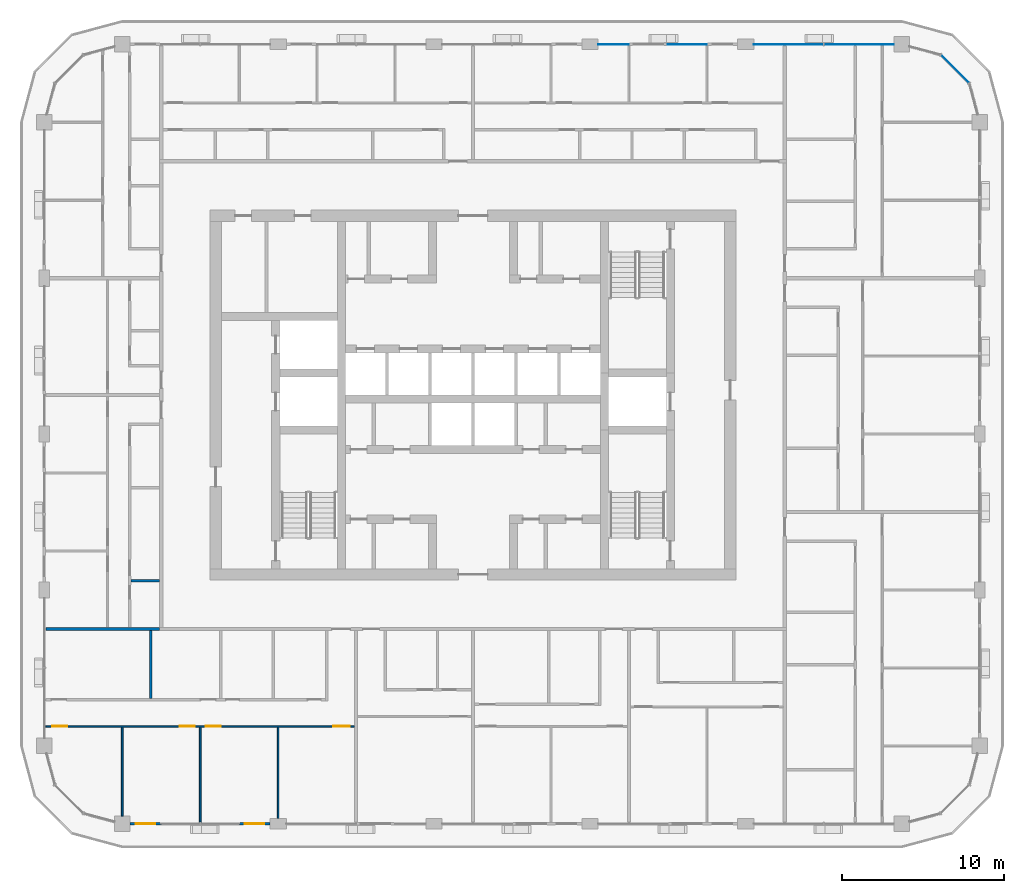
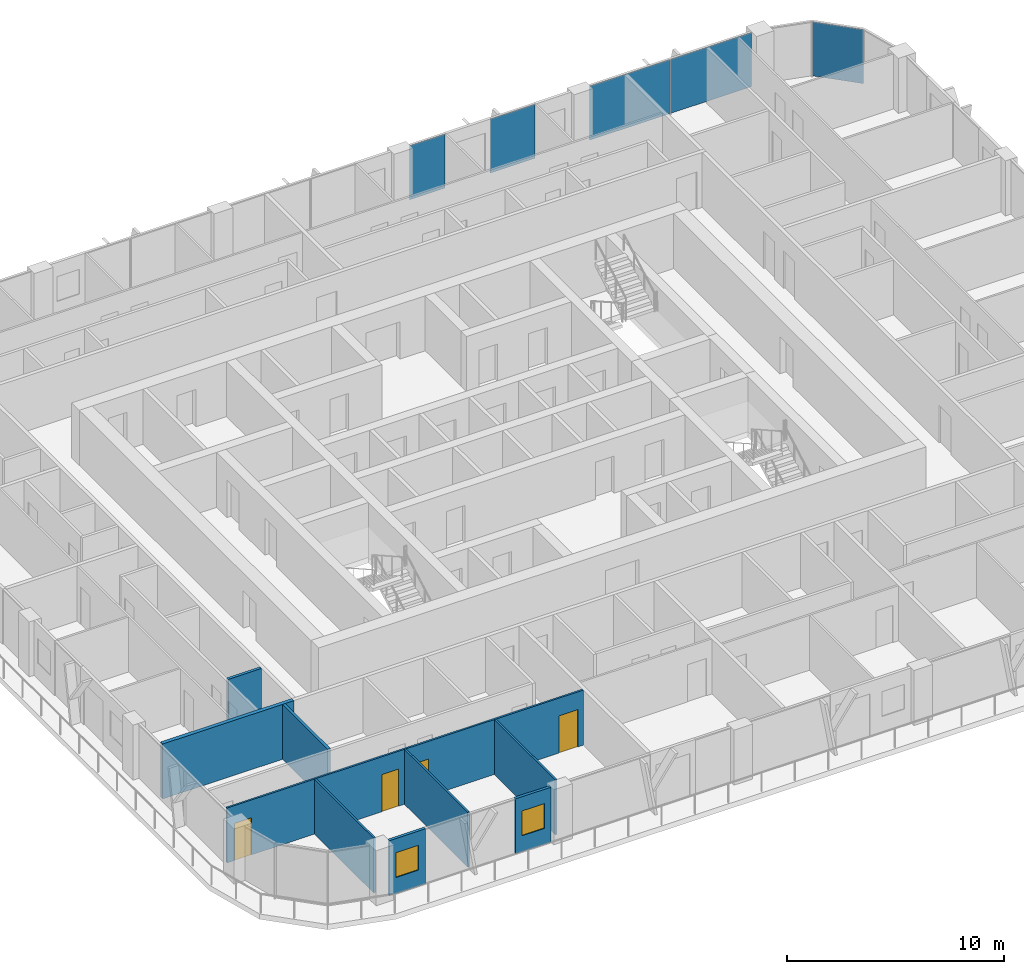
# One storey, part 8 of 22: 9 walls, 5 plates, 4 doors, 2 windows, 6 openings, 3 elements without a shape of their own.
"""IFC4 building model written with IfcOpenShell, lengths in metres."""

from ifc_helpers import new_model, si_unit, direction, frame, frame_2d, origin, origin_2d, place, context, subcontext, project, spatial, rectangle, extrude, material, layer, layer_set, type_object, element, fill, aggregate, save


model = new_model("IFC4")

# Units and contexts
model_context = context("Model", 3, precision=1e-05, world=origin(), true_north=direction((0.0, 1.0)))
body_context = subcontext(model_context, "Body", "Model", "MODEL_VIEW")
ifc_project = project(units=[si_unit("LENGTHUNIT", "METRE"), si_unit("AREAUNIT", "SQUARE_METRE"), si_unit("VOLUMEUNIT", "CUBIC_METRE"), si_unit("PLANEANGLEUNIT", "RADIAN"), si_unit("MASSUNIT", "GRAM", prefix="KILO")], contexts=[model_context])

# Site, building, storey
site_placement = place(None, origin())
site = spatial("IfcSite", under=ifc_project, at=site_placement, CompositionType="ELEMENT")
building_placement = place(site_placement, origin())
building = spatial("IfcBuilding", under=site, at=building_placement, Name="Madar Terraces", CompositionType="ELEMENT")
storey_placement = place(building_placement, frame((0.0, 0.0, 199.89990234375)))
storey = spatial("IfcBuildingStorey", under=building, at=storey_placement, Name="L52", CompositionType="ELEMENT", Elevation=199.89990234375)

# Curtain wall, plates
ifc_material_1 = material(Name="Glass, ceramic frit dark grey, with black aluminium frame", Category="aluminium")
ifc_layer_1 = layer(ifc_material_1, 0.199951171875)
ifc_layer_set_1 = layer_set([ifc_layer_1], Name="Facade curtain wall, fritted glass")
curtain_wall_type = type_object("IfcCurtainWallType", Name="Facade curtain wall, fritted glass", PredefinedType="NOTDEFINED", material=ifc_layer_set_1)
curtain_wall_1_placement = place(storey_placement, origin())
curtain_wall_1 = element("IfcCurtainWall", 1, at=curtain_wall_1_placement, inside=storey, type_object=curtain_wall_type, Name="Outer skin curtain wall north bay 1", PredefinedType="NOTDEFINED")
ifc_material_2 = material(Name="Glass, ceramic frit dark grey", Category="glass")
ifc_layer_2 = layer(ifc_material_2, 0.028076171875)
ifc_layer_set_2 = layer_set([ifc_layer_2], Name="Facade glass panel 28")
plate_type = type_object("IfcPlateType", Name="Facade glass panel 28", PredefinedType="CURTAIN_PANEL", material=ifc_layer_set_2)
plate_1_placement = place(storey_placement, frame((54.9775390625, 48.0, 0.0), z_axis=(0.0, 0.0, 1.0), x_axis=(-1.0, 0.0, 0.0)))
plate_1 = element("IfcPlate", 2, at=plate_1_placement, type_object=plate_type, Name="Panel 1", PredefinedType="CURTAIN_PANEL", context=body_context, shape_type="SweptSolid", body=[
    extrude(rectangle(XDim=4.294921875, YDim=0.028076171875, at=origin_2d()), origin(), (0.0, 0.0, 1.0), 3.0400390625),
])
plate_2_placement = place(storey_placement, frame((50.635009765625, 48.0, 0.0), z_axis=(0.0, 0.0, 1.0), x_axis=(-1.0, 0.0, 0.0)))
plate_2 = element("IfcPlate", 3, at=plate_2_placement, type_object=plate_type, Name="Panel 2", PredefinedType="CURTAIN_PANEL", context=body_context, shape_type="SweptSolid", body=[
    extrude(rectangle(XDim=4.27001953125, YDim=0.028076171875, at=origin_2d()), origin(), (0.0, 0.0, 1.0), 3.0400390625),
])
aggregate(curtain_wall_1, [plate_1, plate_2])

curtain_wall_2_placement = place(storey_placement, origin())
curtain_wall_2 = element("IfcCurtainWall", 4, at=curtain_wall_2_placement, inside=storey, type_object=curtain_wall_type, Name="Outer skin curtain wall north bay 2", PredefinedType="NOTDEFINED")
plate_3_placement = place(storey_placement, frame((44.39990234375, 48.0, 0.0), z_axis=(0.0, 0.0, 1.0), x_axis=(-1.0, 0.0, 0.0)))
plate_3 = element("IfcPlate", 5, at=plate_3_placement, type_object=plate_type, Name="Panel 1", PredefinedType="CURTAIN_PANEL", context=body_context, shape_type="SweptSolid", body=[
    extrude(rectangle(XDim=2.39990234375, YDim=0.028076171875, at=origin_2d()), origin(), (0.0, 0.0, 1.0), 3.0400390625),
])
plate_4_placement = place(storey_placement, frame((39.85009765625, 48.0, 0.0), z_axis=(0.0, 0.0, 1.0), x_axis=(-1.0, 0.0, 0.0)))
plate_4 = element("IfcPlate", 6, at=plate_4_placement, type_object=plate_type, Name="Panel 2", PredefinedType="CURTAIN_PANEL", context=body_context, shape_type="SweptSolid", body=[
    extrude(rectangle(XDim=1.89990234375, YDim=0.028076171875, at=origin_2d()), origin(), (0.0, 0.0, 1.0), 3.0400390625),
])
aggregate(curtain_wall_2, [plate_3, plate_4])

# Curtain wall, plate
curtain_wall_3_placement = place(storey_placement, origin())
curtain_wall_3 = element("IfcCurtainWall", 7, at=curtain_wall_3_placement, inside=storey, type_object=curtain_wall_type, Name="Outer skin curtain wall north-east corner", PredefinedType="NOTDEFINED")
plate_5_placement = place(storey_placement, frame((60.87841796875, 46.478515625, 0.0), z_axis=(0.0, 0.0, 1.0), x_axis=(-0.707106781187, 0.707106781187, 0.0)))
plate_5 = element("IfcPlate", 8, at=plate_5_placement, type_object=plate_type, Name="Panel 2", PredefinedType="CURTAIN_PANEL", context=body_context, shape_type="SweptSolid", body=[
    extrude(rectangle(XDim=2.424560546875, YDim=0.028076171875, at=origin_2d()), origin(), (0.0, 0.0, 1.0), 3.0400390625),
])
aggregate(curtain_wall_3, [plate_5])

# Wall, opening, window
ifc_material_3 = material(Name="Aluminium composite panel, black, over insulated backing", Category="aluminium")
ifc_layer_3 = layer(ifc_material_3, 0.14990234375)
ifc_layer_set_3 = layer_set([ifc_layer_3], Name="Facade bay panel 150")
wall_type_1 = type_object("IfcWallType", Name="Facade bay panel 150", PredefinedType="SOLIDWALL", material=ifc_layer_set_3)
wall_1_placement = place(storey_placement, frame((10.074951171875, 0.0, 0.0), z_axis=(0.0, 0.0, 1.0), x_axis=(1.0, 0.0, 0.0)))
wall_1 = element("IfcWall", 9, at=wall_1_placement, inside=storey, type_object=wall_type_1, Name="Facade bay panel", PredefinedType="SOLIDWALL", context=body_context, shape_type="SweptSolid", body=[
    extrude(rectangle(XDim=1.925048828125, YDim=0.14990234375, at=frame_2d((0.96240234375, 0.0))), origin(), (0.0, 0.0, 1.0), 3.10009765625),
])
opening_1_placement = place(wall_1_placement, frame((0.362548828125, 0.0, 0.89990234375)))
opening_1 = element("IfcOpeningElement", 10, at=opening_1_placement, cuts=wall_1, Name="Opening W1", PredefinedType="OPENING", context=body_context, shape_type="SweptSolid", body=[
    extrude(rectangle(XDim=1.199951171875, YDim=1.39990234375, at=frame_2d((0.60009765625, 0.699951171875))), frame((0.0, 0.0849609375, 0.0), z_axis=(0.0, -1.0, 0.0), x_axis=(1.0, 0.0, 0.0)), (0.0, 0.0, 1.0), 0.169921875),
])
ifc_material_4 = material(Name="Glass, clear, with black aluminium frame", Category="aluminium")
window_type = type_object("IfcWindowType", Name="Vent window 1200 x 1400", PartitioningType="SINGLE_PANEL", PredefinedType="WINDOW", material=ifc_material_4)
window_1_placement = place(opening_1_placement, origin())
window_1 = element("IfcWindow", 11, at=window_1_placement, inside=storey, type_object=window_type, Name="Operable vent window", OverallHeight=1.39990234375, OverallWidth=1.199951171875, PartitioningType="SINGLE_PANEL", PredefinedType="WINDOW", context=body_context, shape_type="SweptSolid", body=[
    extrude(rectangle(XDim=1.199951171875, YDim=1.39990234375, at=frame_2d((0.60009765625, 0.699951171875))), frame((0.0, 0.030029296875, 0.0), z_axis=(0.0, -1.0, 0.0), x_axis=(1.0, 0.0, 0.0)), (0.0, 0.0, 1.0), 0.06005859375),
])
fill(opening_1, window_1)

wall_2_placement = place(storey_placement, frame((16.800048828125, 0.0, 0.0), z_axis=(0.0, 0.0, 1.0), x_axis=(1.0, 0.0, 0.0)))
wall_2 = element("IfcWall", 12, at=wall_2_placement, inside=storey, type_object=wall_type_1, Name="Facade bay panel", PredefinedType="SOLIDWALL", context=body_context, shape_type="SweptSolid", body=[
    extrude(rectangle(XDim=1.89990234375, YDim=0.14990234375, at=frame_2d((0.949951171875, 0.0))), origin(), (0.0, 0.0, 1.0), 3.10009765625),
])
opening_2_placement = place(wall_2_placement, frame((0.35009765625, 0.0, 0.89990234375)))
opening_2 = element("IfcOpeningElement", 13, at=opening_2_placement, cuts=wall_2, Name="Opening W1", PredefinedType="OPENING", context=body_context, shape_type="SweptSolid", body=[
    extrude(rectangle(XDim=1.199951171875, YDim=1.39990234375, at=frame_2d((0.60009765625, 0.699951171875))), frame((0.0, 0.0849609375, 0.0), z_axis=(0.0, -1.0, 0.0), x_axis=(1.0, 0.0, 0.0)), (0.0, 0.0, 1.0), 0.169921875),
])
window_2_placement = place(opening_2_placement, origin())
window_2 = element("IfcWindow", 14, at=window_2_placement, inside=storey, type_object=window_type, Name="Operable vent window", OverallHeight=1.39990234375, OverallWidth=1.199951171875, PartitioningType="SINGLE_PANEL", PredefinedType="WINDOW", context=body_context, shape_type="SweptSolid", body=[
    extrude(rectangle(XDim=1.199951171875, YDim=1.39990234375, at=frame_2d((0.60009765625, 0.699951171875))), frame((0.0, 0.030029296875, 0.0), z_axis=(0.0, -1.0, 0.0), x_axis=(1.0, 0.0, 0.0)), (0.0, 0.0, 1.0), 0.06005859375),
])
fill(opening_2, window_2)

# Walls
ifc_material_5 = material(Name="Gypsum board on steel studs", Category="steel")
ifc_layer_4 = layer(ifc_material_5, 0.10009765625)
ifc_layer_set_4 = layer_set([ifc_layer_4], Name="Flat partition 100")
wall_type_2 = type_object("IfcWallType", Name="Flat partition 100", PredefinedType="PARTITIONING", material=ifc_layer_set_4)
wall_3_placement = place(storey_placement, frame((19.199951171875, 5.949951171875, 0.0), z_axis=(0.0, 0.0, 1.0), x_axis=(0.0, -1.0, 0.0)))
element("IfcWall", 15, at=wall_3_placement, inside=storey, type_object=wall_type_2, Name="Flat partition 100", PredefinedType="PARTITIONING", context=body_context, shape_type="SweptSolid", body=[
    extrude(rectangle(XDim=5.625, YDim=0.10009765625, at=frame_2d((2.8125, 0.0))), origin(), (0.0, 0.0, 1.0), 3.10009765625),
])
wall_4_placement = place(storey_placement, frame((14.39990234375, 5.949951171875, 0.0), z_axis=(0.0, 0.0, 1.0), x_axis=(0.0, -1.0, 0.0)))
element("IfcWall", 16, at=wall_4_placement, inside=storey, type_object=wall_type_2, Name="Flat partition 100", PredefinedType="PARTITIONING", context=body_context, shape_type="SweptSolid", body=[
    extrude(rectangle(XDim=5.849853515625, YDim=0.10009765625, at=frame_2d((2.9248046875, 0.0))), origin(), (0.0, 0.0, 1.0), 3.10009765625),
])
wall_5_placement = place(storey_placement, frame((9.60009765625, 5.949951171875, 0.0), z_axis=(0.0, 0.0, 1.0), x_axis=(0.0, -1.0, 0.0)))
element("IfcWall", 17, at=wall_5_placement, inside=storey, type_object=wall_type_2, Name="Flat partition 100", PredefinedType="PARTITIONING", context=body_context, shape_type="SweptSolid", body=[
    extrude(rectangle(XDim=5.474853515625, YDim=0.10009765625, at=frame_2d((2.7373046875, 0.0))), origin(), (0.0, 0.0, 1.0), 3.10009765625),
])

# Wall, openings, doors
wall_6_placement = place(storey_placement, frame((23.89990234375, 6.0, 0.0), z_axis=(0.0, 0.0, 1.0), x_axis=(-1.0, 0.0, 0.0)))
wall_6 = element("IfcWall", 18, at=wall_6_placement, inside=storey, type_object=wall_type_2, Name="Flat partition 100", PredefinedType="PARTITIONING", context=body_context, shape_type="SweptSolid", body=[
    extrude(rectangle(XDim=19.0, YDim=0.10009765625, at=frame_2d((9.5, 0.0))), origin(), (0.0, 0.0, 1.0), 3.10009765625),
])
opening_3_placement = place(wall_6_placement, frame((0.300048828125, 0.0, 0.0)))
opening_3 = element("IfcOpeningElement", 19, at=opening_3_placement, cuts=wall_6, Name="Opening D3", PredefinedType="OPENING", context=body_context, shape_type="SweptSolid", body=[
    extrude(rectangle(XDim=1.0, YDim=2.10009765625, at=frame_2d((0.5, 1.050048828125))), frame((0.0, 0.06005859375, 0.0), z_axis=(0.0, -1.0, 0.0), x_axis=(1.0, 0.0, 0.0)), (0.0, 0.0, 1.0), 0.1201171875),
])
opening_4_placement = place(wall_6_placement, frame((8.25, 0.0, 0.0)))
opening_4 = element("IfcOpeningElement", 20, at=opening_4_placement, cuts=wall_6, Name="Opening D2", PredefinedType="OPENING", context=body_context, shape_type="SweptSolid", body=[
    extrude(rectangle(XDim=0.89990234375, YDim=2.10009765625, at=frame_2d((0.449951171875, 1.050048828125))), frame((0.0, 0.06005859375, 0.0), z_axis=(0.0, -1.0, 0.0), x_axis=(1.0, 0.0, 0.0)), (0.0, 0.0, 1.0), 0.1201171875),
])
opening_5_placement = place(wall_6_placement, frame((9.85009765625, 0.0, 0.0)))
opening_5 = element("IfcOpeningElement", 21, at=opening_5_placement, cuts=wall_6, Name="Opening D2", PredefinedType="OPENING", context=body_context, shape_type="SweptSolid", body=[
    extrude(rectangle(XDim=0.89990234375, YDim=2.10009765625, at=frame_2d((0.449951171875, 1.050048828125))), frame((0.0, 0.06005859375, 0.0), z_axis=(0.0, -1.0, 0.0), x_axis=(1.0, 0.0, 0.0)), (0.0, 0.0, 1.0), 0.1201171875),
])
opening_6_placement = place(wall_6_placement, frame((17.699951171875, 0.0, 0.0)))
opening_6 = element("IfcOpeningElement", 22, at=opening_6_placement, cuts=wall_6, Name="Opening D2", PredefinedType="OPENING", context=body_context, shape_type="SweptSolid", body=[
    extrude(rectangle(XDim=0.89990234375, YDim=2.10009765625, at=frame_2d((0.449951171875, 1.050048828125))), frame((0.0, 0.06005859375, 0.0), z_axis=(0.0, -1.0, 0.0), x_axis=(1.0, 0.0, 0.0)), (0.0, 0.0, 1.0), 0.1201171875),
])
ifc_material_6 = material(Name="Timber door leaf", Category="wood")
door_type_1 = type_object("IfcDoorType", Name="Flat living room door 1000", OperationType="NOTDEFINED", PredefinedType="DOOR", material=ifc_material_6)
door_1_placement = place(opening_3_placement, origin())
door_1 = element("IfcDoor", 23, at=door_1_placement, inside=storey, type_object=door_type_1, Name="Flat living room door 1000", OperationType="SINGLE_SWING_LEFT", OverallHeight=2.10009765625, OverallWidth=1.0, PredefinedType="DOOR", context=body_context, shape_type="SweptSolid", body=[
    extrude(rectangle(XDim=1.0, YDim=2.10009765625, at=frame_2d((0.5, 1.050048828125))), frame((0.0, 0.02490234375, 0.0), z_axis=(0.0, -1.0, 0.0), x_axis=(1.0, 0.0, 0.0)), (0.0, 0.0, 1.0), 0.050048828125),
])
fill(opening_3, door_1)
ifc_material_7 = material(Name="Timber door leaf", Category="wood")
door_type_2 = type_object("IfcDoorType", Name="Flat room door 900", OperationType="NOTDEFINED", PredefinedType="DOOR", material=ifc_material_7)
door_2_placement = place(opening_4_placement, origin())
door_2 = element("IfcDoor", 24, at=door_2_placement, inside=storey, type_object=door_type_2, Name="Flat room door 900", OperationType="SINGLE_SWING_RIGHT", OverallHeight=2.10009765625, OverallWidth=0.89990234375, PredefinedType="DOOR", context=body_context, shape_type="SweptSolid", body=[
    extrude(rectangle(XDim=0.89990234375, YDim=2.10009765625, at=frame_2d((0.449951171875, 1.050048828125))), frame((0.0, 0.02490234375, 0.0), z_axis=(0.0, -1.0, 0.0), x_axis=(1.0, 0.0, 0.0)), (0.0, 0.0, 1.0), 0.050048828125),
])
fill(opening_4, door_2)
door_3_placement = place(opening_5_placement, origin())
door_3 = element("IfcDoor", 25, at=door_3_placement, inside=storey, type_object=door_type_2, Name="Flat room door 900", OperationType="SINGLE_SWING_LEFT", OverallHeight=2.10009765625, OverallWidth=0.89990234375, PredefinedType="DOOR", context=body_context, shape_type="SweptSolid", body=[
    extrude(rectangle(XDim=0.89990234375, YDim=2.10009765625, at=frame_2d((0.449951171875, 1.050048828125))), frame((0.0, 0.02490234375, 0.0), z_axis=(0.0, -1.0, 0.0), x_axis=(1.0, 0.0, 0.0)), (0.0, 0.0, 1.0), 0.050048828125),
])
fill(opening_5, door_3)
door_4_placement = place(opening_6_placement, origin())
door_4 = element("IfcDoor", 26, at=door_4_placement, inside=storey, type_object=door_type_2, Name="Flat room door 900", OperationType="SINGLE_SWING_RIGHT", OverallHeight=2.10009765625, OverallWidth=0.89990234375, PredefinedType="DOOR", context=body_context, shape_type="SweptSolid", body=[
    extrude(rectangle(XDim=0.89990234375, YDim=2.10009765625, at=frame_2d((0.449951171875, 1.050048828125))), frame((0.0, 0.02490234375, 0.0), z_axis=(0.0, -1.0, 0.0), x_axis=(1.0, 0.0, 0.0)), (0.0, 0.0, 1.0), 0.050048828125),
])
fill(opening_6, door_4)

# Walls
ifc_material_8 = material(Name="Lightweight blockwork", Category="masonry")
ifc_layer_5 = layer(ifc_material_8, 0.199951171875)
ifc_layer_set_5 = layer_set([ifc_layer_5], Name="Flat party and entrance wall 200")
wall_type_3 = type_object("IfcWallType", Name="Flat party and entrance wall 200", PredefinedType="PARTITIONING", material=ifc_layer_set_5)
wall_7_placement = place(storey_placement, frame((4.89990234375, 12.0, 0.0), z_axis=(0.0, 0.0, 1.0), x_axis=(1.0, 0.0, 0.0)))
element("IfcWall", 27, at=wall_7_placement, inside=storey, type_object=wall_type_3, Name="Flat party and entrance wall 200", PredefinedType="PARTITIONING", context=body_context, shape_type="SweptSolid", body=[
    extrude(rectangle(XDim=7.0, YDim=0.199951171875, at=frame_2d((3.5, 0.0))), origin(), (0.0, 0.0, 1.0), 3.10009765625),
])
ifc_material_9 = material(Name="Lightweight blockwork", Category="masonry")
ifc_layer_6 = layer(ifc_material_9, 0.14990234375)
ifc_layer_set_6 = layer_set([ifc_layer_6], Name="Flat wet-room partition 150")
wall_type_4 = type_object("IfcWallType", Name="Flat wet-room partition 150", PredefinedType="PARTITIONING", material=ifc_layer_set_6)
wall_8_placement = place(storey_placement, frame((11.359375, 11.89990234375, 0.0), z_axis=(0.0, 0.0, 1.0), x_axis=(0.0, -1.0, 0.0)))
element("IfcWall", 28, at=wall_8_placement, inside=storey, type_object=wall_type_4, Name="Flat wet-room partition 150", PredefinedType="PARTITIONING", context=body_context, shape_type="SweptSolid", body=[
    extrude(rectangle(XDim=4.1748046875, YDim=0.14990234375, at=frame_2d((2.08740234375, 0.0))), origin(), (0.0, 0.0, 1.0), 3.10009765625),
])
wall_9_placement = place(storey_placement, frame((11.89990234375, 14.96728515625, 0.0), z_axis=(0.0, 0.0, 1.0), x_axis=(-1.0, 0.0, 0.0)))
element("IfcWall", 29, at=wall_9_placement, inside=storey, type_object=wall_type_4, Name="Flat wet-room partition 150", PredefinedType="PARTITIONING", context=body_context, shape_type="SweptSolid", body=[
    extrude(rectangle(XDim=1.77490234375, YDim=0.14990234375, at=frame_2d((0.887451171875, 0.0))), origin(), (0.0, 0.0, 1.0), 3.10009765625),
])

save(model, "model.ifc")
